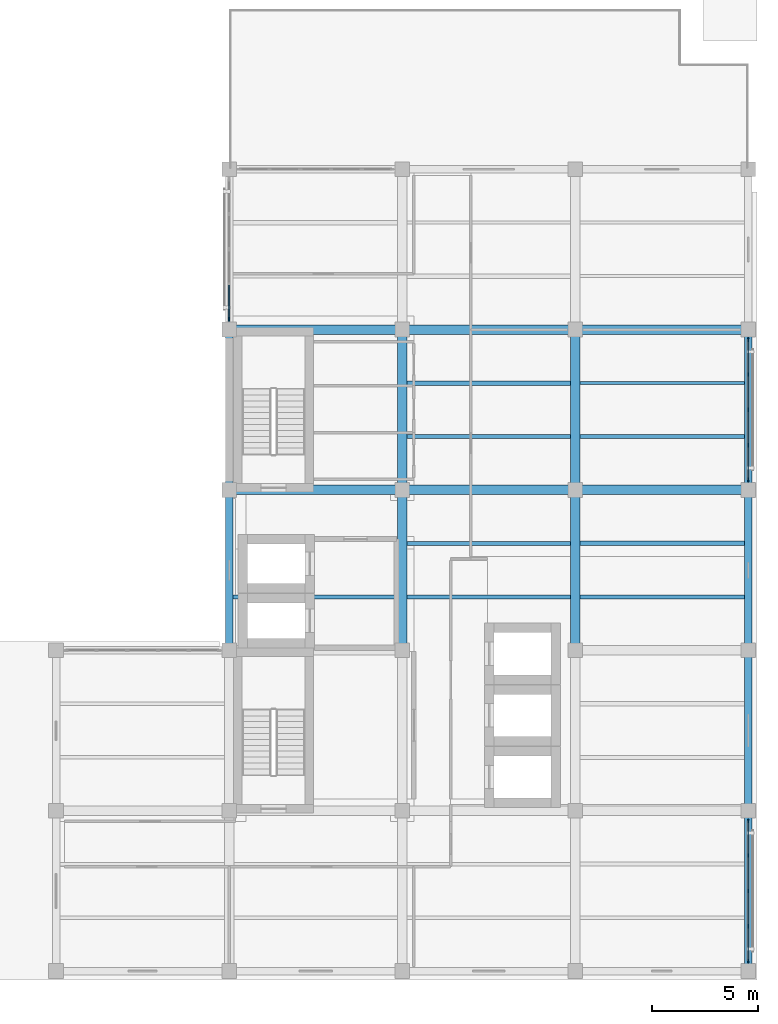
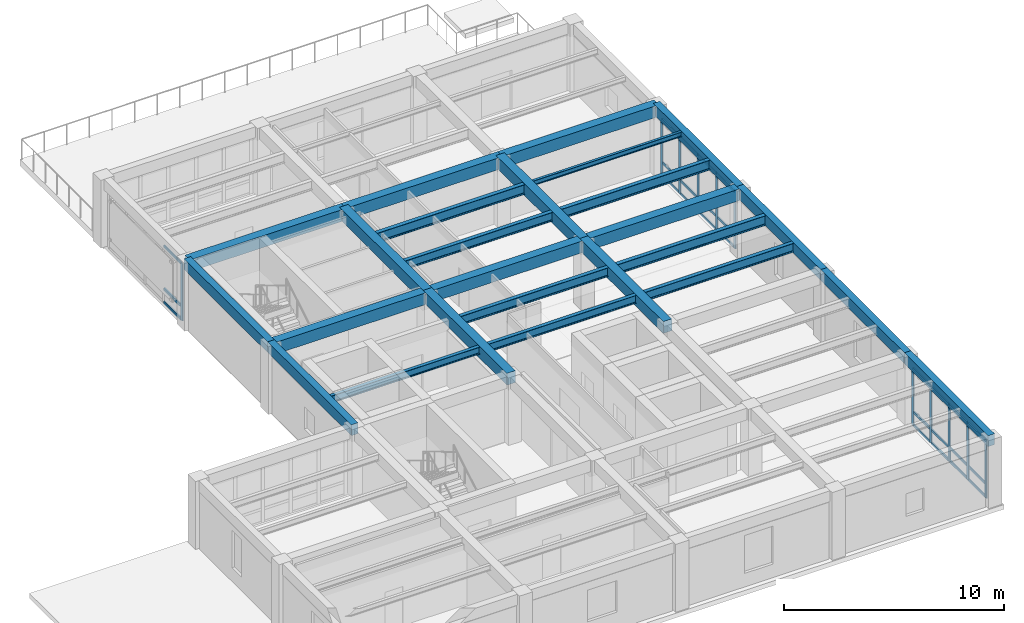
# One storey, part 3 of 11: 38 members, 25 beams, 3 elements without a shape of their own.
"""IFC4 building model written with IfcOpenShell, lengths in metres."""

from ifc_helpers import new_model, si_unit, direction, frame, origin, origin_2d, place, context, subcontext, project, spatial, rectangle, i_section, extrude, material, material_profile, profile_set, type_object, element, aggregate, save


model = new_model("IFC4")

# Units and contexts
model_context = context("Model", 3, precision=1e-05, world=origin(), true_north=direction((0.0, 1.0)))
body_context = subcontext(model_context, "Body", "Model", "MODEL_VIEW")
ifc_project = project(units=[si_unit("LENGTHUNIT", "METRE"), si_unit("AREAUNIT", "SQUARE_METRE"), si_unit("VOLUMEUNIT", "CUBIC_METRE"), si_unit("PLANEANGLEUNIT", "RADIAN"), si_unit("MASSUNIT", "GRAM", prefix="KILO")], contexts=[model_context])

# Site, building, storey
site_placement = place(None, origin())
site = spatial("IfcSite", under=ifc_project, at=site_placement, CompositionType="ELEMENT")
building_placement = place(site_placement, origin())
building = spatial("IfcBuilding", under=site, at=building_placement, Name="Qandaris Square Conservatory and Botanical Centre", CompositionType="ELEMENT")
storey_placement = place(building_placement, frame((0.0, 0.0, 66.199951171875)))
storey = spatial("IfcBuildingStorey", under=building, at=storey_placement, Name="L15", CompositionType="ELEMENT", Elevation=66.199951171875)

# Beams
ifc_material_1 = material(Name="Steel S355", Category="steel")
ifc_material_profile_1 = material_profile(ifc_material_1, i_section(OverallWidth=0.18994140625, OverallDepth=0.449951171875, WebThickness=0.009521484375, FlangeThickness=0.0146484375, FilletRadius=0.02099609375, at=origin_2d()), Name="IPE 450")
ifc_profile_set_1 = profile_set([ifc_material_profile_1], Name="Steel S355")
beam_type_1 = type_object("IfcBeamType", Name="Composite Archive Joist IPE 450", PredefinedType="JOIST", material=ifc_profile_set_1)
beam_1_placement = place(storey_placement, frame((147.625, 34.333251953125, 3.525146484375), z_axis=(1.0, 0.0, 0.0), x_axis=(0.0, 1.0, 0.0)))
element("IfcBeam", 1, at=beam_1_placement, inside=storey, type_object=beam_type_1, Name="L15 Composite Joist 2957", PredefinedType="JOIST", context=body_context, shape_type="SweptSolid", body=[
    extrude(i_section(OverallWidth=0.18994140625, OverallDepth=0.449951171875, WebThickness=0.009521484375, FlangeThickness=0.0146484375, FilletRadius=0.02099609375, at=origin_2d()), origin(), (0.0, 0.0, 1.0), 7.75),
])
ifc_material_profile_2 = material_profile(ifc_material_1, i_section(OverallWidth=0.199951171875, OverallDepth=0.5, WebThickness=0.01025390625, FlangeThickness=0.01611328125, FilletRadius=0.02099609375, at=origin_2d()), Name="IPE 500")
ifc_profile_set_2 = profile_set([ifc_material_profile_2], Name="Steel S355")
beam_type_2 = type_object("IfcBeamType", Name="Composite Gallery Joist IPE 500", PredefinedType="JOIST", material=ifc_profile_set_2)
for number, where, z_axis, x_axis, name in (
    (2, (147.625, 36.86669921875, 3.5), (1.0, 0.0, 0.0), (0.0, 1.0, 0.0), "L15 Composite Joist 2958"),
    (3, (147.625, 41.933349609375, 3.5), (1.0, 0.0, 0.0), (0.0, 1.0, 0.0), "L15 Composite Joist 2959"),
):
    element("IfcBeam", number, at=place(storey_placement, frame(where, z_axis=z_axis, x_axis=x_axis)), inside=storey, type_object=beam_type_2, Name=name, PredefinedType="JOIST", context=body_context, shape_type="SweptSolid", body=[
        extrude(i_section(OverallWidth=0.199951171875, OverallDepth=0.5, WebThickness=0.01025390625, FlangeThickness=0.01611328125, FilletRadius=0.02099609375, at=origin_2d()), origin(), (0.0, 0.0, 1.0), 7.75),
    ])
beam_2_placement = place(storey_placement, frame((155.824951171875, 34.333251953125, 3.5), z_axis=(1.0, 0.0, 0.0), x_axis=(0.0, 1.0, 0.0)))
element("IfcBeam", 4, at=beam_2_placement, inside=storey, type_object=beam_type_2, Name="L15 Composite Joist 2967", PredefinedType="JOIST", context=body_context, shape_type="SweptSolid", body=[
    extrude(i_section(OverallWidth=0.199951171875, OverallDepth=0.5, WebThickness=0.01025390625, FlangeThickness=0.01611328125, FilletRadius=0.02099609375, at=origin_2d()), origin(), (0.0, 0.0, 1.0), 7.800048828125),
])
ifc_material_profile_3 = material_profile(ifc_material_1, i_section(OverallWidth=0.179931640625, OverallDepth=0.39990234375, WebThickness=0.008544921875, FlangeThickness=0.013427734375, FilletRadius=0.02099609375, at=origin_2d()), Name="IPE 400")
ifc_profile_set_3 = profile_set([ifc_material_profile_3], Name="Steel S355")
beam_type_3 = type_object("IfcBeamType", Name="Composite Plinth Joist IPE 400", PredefinedType="JOIST", material=ifc_profile_set_3)
beam_3_placement = place(storey_placement, frame((139.375, 34.333251953125, 3.550048828125), z_axis=(1.0, 0.0, 0.0), x_axis=(0.0, 1.0, 0.0)))
element("IfcBeam", 5, at=beam_3_placement, inside=storey, type_object=beam_type_3, Name="L15 Composite Joist 2952", PredefinedType="JOIST", context=body_context, shape_type="SweptSolid", body=[
    extrude(i_section(OverallWidth=0.179931640625, OverallDepth=0.39990234375, WebThickness=0.008544921875, FlangeThickness=0.013427734375, FilletRadius=0.02099609375, at=origin_2d()), origin(), (0.0, 0.0, 1.0), 7.800048828125),
])

# Curtain wall, members
ifc_material_2 = material(Name="Anodised Aluminium", Category="aluminium")
curtain_wall_type = type_object("IfcCurtainWallType", Name="Unitised Curtain Wall CW-4-670x316", PredefinedType="USERDEFINED", material=ifc_material_2)
curtain_wall_1_placement = place(storey_placement, origin())
curtain_wall_1 = element("IfcCurtainWall", 6, at=curtain_wall_1_placement, inside=storey, type_object=curtain_wall_type, Name="Curtain Wall CW-TWR-L15-2-1", ObjectType="GLAZED CURTAIN WALL", PredefinedType="USERDEFINED")
ifc_material_profile_4 = material_profile(ifc_material_2, rectangle(XDim=0.06494140625, YDim=0.179931640625, at=origin_2d()), Name="ALU-MUL 65x180")
ifc_profile_set_4 = profile_set([ifc_material_profile_4], Name="Anodised Aluminium")
member_type_1 = type_object("IfcMemberType", Name="Curtain Wall Mullion 65x180", PredefinedType="MULLION", material=ifc_profile_set_4)
member_1_placement = place(storey_placement, frame((163.800048828125, 17.08251953125, 0.0), z_axis=(0.0, 0.0, 1.0), x_axis=(-1.0, 0.0, 0.0)))
member_1 = element("IfcMember", 7, at=member_1_placement, type_object=member_type_1, Name="CW-4-670x316 mullion 1", PredefinedType="MULLION", context=body_context, shape_type="SweptSolid", body=[
    extrude(rectangle(XDim=0.06494140625, YDim=0.179931640625, at=origin_2d()), origin(), (0.0, 0.0, 1.0), 3.16015625),
])
member_2_placement = place(storey_placement, frame((163.800048828125, 18.72509765625, 0.0), z_axis=(0.0, 0.0, 1.0), x_axis=(-1.0, 0.0, 0.0)))
member_2 = element("IfcMember", 8, at=member_2_placement, type_object=member_type_1, Name="CW-4-670x316 mullion 2", PredefinedType="MULLION", context=body_context, shape_type="SweptSolid", body=[
    extrude(rectangle(XDim=0.06494140625, YDim=0.179931640625, at=origin_2d()), origin(), (0.0, 0.0, 1.0), 3.16015625),
])
member_3_placement = place(storey_placement, frame((163.800048828125, 20.39990234375, 0.0), z_axis=(0.0, 0.0, 1.0), x_axis=(-1.0, 0.0, 0.0)))
member_3 = element("IfcMember", 9, at=member_3_placement, type_object=member_type_1, Name="CW-4-670x316 mullion 3", PredefinedType="MULLION", context=body_context, shape_type="SweptSolid", body=[
    extrude(rectangle(XDim=0.06494140625, YDim=0.179931640625, at=origin_2d()), origin(), (0.0, 0.0, 1.0), 3.16015625),
])
member_4_placement = place(storey_placement, frame((163.800048828125, 22.074951171875, 0.0), z_axis=(0.0, 0.0, 1.0), x_axis=(-1.0, 0.0, 0.0)))
member_4 = element("IfcMember", 10, at=member_4_placement, type_object=member_type_1, Name="CW-4-670x316 mullion 4", PredefinedType="MULLION", context=body_context, shape_type="SweptSolid", body=[
    extrude(rectangle(XDim=0.06494140625, YDim=0.179931640625, at=origin_2d()), origin(), (0.0, 0.0, 1.0), 3.16015625),
])
member_5_placement = place(storey_placement, frame((163.800048828125, 23.717529296875, 0.0), z_axis=(0.0, 0.0, 1.0), x_axis=(-1.0, 0.0, 0.0)))
member_5 = element("IfcMember", 11, at=member_5_placement, type_object=member_type_1, Name="CW-4-670x316 mullion 5", PredefinedType="MULLION", context=body_context, shape_type="SweptSolid", body=[
    extrude(rectangle(XDim=0.06494140625, YDim=0.179931640625, at=origin_2d()), origin(), (0.0, 0.0, 1.0), 3.16015625),
])

curtain_wall_2_placement = place(storey_placement, origin())
curtain_wall_2 = element("IfcCurtainWall", 12, at=curtain_wall_2_placement, inside=storey, type_object=curtain_wall_type, Name="Curtain Wall CW-TWR-L15-2-4", ObjectType="GLAZED CURTAIN WALL", PredefinedType="USERDEFINED")
member_6_placement = place(storey_placement, frame((163.800048828125, 39.882568359375, 0.0), z_axis=(0.0, 0.0, 1.0), x_axis=(-1.0, 0.0, 0.0)))
member_6 = element("IfcMember", 13, at=member_6_placement, type_object=member_type_1, Name="CW-4-670x316 mullion 1", PredefinedType="MULLION", context=body_context, shape_type="SweptSolid", body=[
    extrude(rectangle(XDim=0.06494140625, YDim=0.179931640625, at=origin_2d()), origin(), (0.0, 0.0, 1.0), 3.16015625),
])
member_7_placement = place(storey_placement, frame((163.800048828125, 41.52490234375, 0.0), z_axis=(0.0, 0.0, 1.0), x_axis=(-1.0, 0.0, 0.0)))
member_7 = element("IfcMember", 14, at=member_7_placement, type_object=member_type_1, Name="CW-4-670x316 mullion 2", PredefinedType="MULLION", context=body_context, shape_type="SweptSolid", body=[
    extrude(rectangle(XDim=0.06494140625, YDim=0.179931640625, at=origin_2d()), origin(), (0.0, 0.0, 1.0), 3.16015625),
])
member_8_placement = place(storey_placement, frame((163.800048828125, 43.199951171875, 0.0), z_axis=(0.0, 0.0, 1.0), x_axis=(-1.0, 0.0, 0.0)))
member_8 = element("IfcMember", 15, at=member_8_placement, type_object=member_type_1, Name="CW-4-670x316 mullion 3", PredefinedType="MULLION", context=body_context, shape_type="SweptSolid", body=[
    extrude(rectangle(XDim=0.06494140625, YDim=0.179931640625, at=origin_2d()), origin(), (0.0, 0.0, 1.0), 3.16015625),
])
member_9_placement = place(storey_placement, frame((163.800048828125, 44.875, 0.0), z_axis=(0.0, 0.0, 1.0), x_axis=(-1.0, 0.0, 0.0)))
member_9 = element("IfcMember", 16, at=member_9_placement, type_object=member_type_1, Name="CW-4-670x316 mullion 4", PredefinedType="MULLION", context=body_context, shape_type="SweptSolid", body=[
    extrude(rectangle(XDim=0.06494140625, YDim=0.179931640625, at=origin_2d()), origin(), (0.0, 0.0, 1.0), 3.16015625),
])
member_10_placement = place(storey_placement, frame((163.800048828125, 46.517578125, 0.0), z_axis=(0.0, 0.0, 1.0), x_axis=(-1.0, 0.0, 0.0)))
member_10 = element("IfcMember", 17, at=member_10_placement, type_object=member_type_1, Name="CW-4-670x316 mullion 5", PredefinedType="MULLION", context=body_context, shape_type="SweptSolid", body=[
    extrude(rectangle(XDim=0.06494140625, YDim=0.179931640625, at=origin_2d()), origin(), (0.0, 0.0, 1.0), 3.16015625),
])

# Curtain wall, member
curtain_wall_3_placement = place(storey_placement, origin())
curtain_wall_3 = element("IfcCurtainWall", 18, at=curtain_wall_3_placement, inside=storey, type_object=curtain_wall_type, Name="Curtain Wall CW-TWR-L15-4-1", ObjectType="GLAZED CURTAIN WALL", PredefinedType="USERDEFINED")
member_11_placement = place(storey_placement, frame((139.199951171875, 47.482421875, 0.0), z_axis=(0.0, 0.0, 1.0), x_axis=(1.0, 0.0, 0.0)))
member_11 = element("IfcMember", 19, at=member_11_placement, type_object=member_type_1, Name="CW-4-670x316 mullion 5", PredefinedType="MULLION", context=body_context, shape_type="SweptSolid", body=[
    extrude(rectangle(XDim=0.06494140625, YDim=0.179931640625, at=origin_2d()), origin(), (0.0, 0.0, 1.0), 3.16015625),
])

# Member
ifc_material_profile_5 = material_profile(ifc_material_2, rectangle(XDim=0.06494140625, YDim=0.139892578125, at=origin_2d()), Name="ALU-TRN 65x140")
ifc_profile_set_5 = profile_set([ifc_material_profile_5], Name="Anodised Aluminium")
member_type_2 = type_object("IfcMemberType", Name="Curtain Wall Transom 65x140", PredefinedType="USERDEFINED", material=ifc_profile_set_5)
member_12_placement = place(storey_placement, frame((163.800048828125, 17.114990234375, 0.032470703125), z_axis=(0.0, 1.0, 0.0), x_axis=(-1.0, 0.0, 0.0)))
member_12 = element("IfcMember", 20, at=member_12_placement, type_object=member_type_2, Name="CW-4-670x316 transom 1.1", ObjectType="TRANSOM", PredefinedType="USERDEFINED", context=body_context, shape_type="SweptSolid", body=[
    extrude(rectangle(XDim=0.06494140625, YDim=0.139892578125, at=origin_2d()), origin(), (0.0, 0.0, 1.0), 1.577392578125),
])

member_13_placement = place(storey_placement, frame((163.800048828125, 17.114990234375, 0.758544921875), z_axis=(0.0, 1.0, 0.0), x_axis=(-1.0, 0.0, 0.0)))
member_13 = element("IfcMember", 21, at=member_13_placement, type_object=member_type_2, Name="CW-4-670x316 transom 1.2", ObjectType="TRANSOM", PredefinedType="USERDEFINED", context=body_context, shape_type="SweptSolid", body=[
    extrude(rectangle(XDim=0.06494140625, YDim=0.139892578125, at=origin_2d()), origin(), (0.0, 0.0, 1.0), 1.577392578125),
])

member_14_placement = place(storey_placement, frame((163.800048828125, 17.114990234375, 3.12744140625), z_axis=(0.0, 1.0, 0.0), x_axis=(-1.0, 0.0, 0.0)))
member_14 = element("IfcMember", 22, at=member_14_placement, type_object=member_type_2, Name="CW-4-670x316 transom 1.3", ObjectType="TRANSOM", PredefinedType="USERDEFINED", context=body_context, shape_type="SweptSolid", body=[
    extrude(rectangle(XDim=0.06494140625, YDim=0.139892578125, at=origin_2d()), origin(), (0.0, 0.0, 1.0), 1.577392578125),
])

member_15_placement = place(storey_placement, frame((163.800048828125, 18.757568359375, 0.032470703125), z_axis=(0.0, 1.0, 0.0), x_axis=(-1.0, 0.0, 0.0)))
member_15 = element("IfcMember", 23, at=member_15_placement, type_object=member_type_2, Name="CW-4-670x316 transom 2.1", ObjectType="TRANSOM", PredefinedType="USERDEFINED", context=body_context, shape_type="SweptSolid", body=[
    extrude(rectangle(XDim=0.06494140625, YDim=0.139892578125, at=origin_2d()), origin(), (0.0, 0.0, 1.0), 1.60986328125),
])

member_16_placement = place(storey_placement, frame((163.800048828125, 18.757568359375, 0.758544921875), z_axis=(0.0, 1.0, 0.0), x_axis=(-1.0, 0.0, 0.0)))
member_16 = element("IfcMember", 24, at=member_16_placement, type_object=member_type_2, Name="CW-4-670x316 transom 2.2", ObjectType="TRANSOM", PredefinedType="USERDEFINED", context=body_context, shape_type="SweptSolid", body=[
    extrude(rectangle(XDim=0.06494140625, YDim=0.139892578125, at=origin_2d()), origin(), (0.0, 0.0, 1.0), 1.60986328125),
])

member_17_placement = place(storey_placement, frame((163.800048828125, 18.757568359375, 3.12744140625), z_axis=(0.0, 1.0, 0.0), x_axis=(-1.0, 0.0, 0.0)))
member_17 = element("IfcMember", 25, at=member_17_placement, type_object=member_type_2, Name="CW-4-670x316 transom 2.3", ObjectType="TRANSOM", PredefinedType="USERDEFINED", context=body_context, shape_type="SweptSolid", body=[
    extrude(rectangle(XDim=0.06494140625, YDim=0.139892578125, at=origin_2d()), origin(), (0.0, 0.0, 1.0), 1.60986328125),
])

member_18_placement = place(storey_placement, frame((163.800048828125, 20.4326171875, 0.032470703125), z_axis=(0.0, 1.0, 0.0), x_axis=(-1.0, 0.0, 0.0)))
member_18 = element("IfcMember", 26, at=member_18_placement, type_object=member_type_2, Name="CW-4-670x316 transom 3.1", ObjectType="TRANSOM", PredefinedType="USERDEFINED", context=body_context, shape_type="SweptSolid", body=[
    extrude(rectangle(XDim=0.06494140625, YDim=0.139892578125, at=origin_2d()), origin(), (0.0, 0.0, 1.0), 1.60986328125),
])

member_19_placement = place(storey_placement, frame((163.800048828125, 20.4326171875, 0.758544921875), z_axis=(0.0, 1.0, 0.0), x_axis=(-1.0, 0.0, 0.0)))
member_19 = element("IfcMember", 27, at=member_19_placement, type_object=member_type_2, Name="CW-4-670x316 transom 3.2", ObjectType="TRANSOM", PredefinedType="USERDEFINED", context=body_context, shape_type="SweptSolid", body=[
    extrude(rectangle(XDim=0.06494140625, YDim=0.139892578125, at=origin_2d()), origin(), (0.0, 0.0, 1.0), 1.60986328125),
])

member_20_placement = place(storey_placement, frame((163.800048828125, 20.4326171875, 3.12744140625), z_axis=(0.0, 1.0, 0.0), x_axis=(-1.0, 0.0, 0.0)))
member_20 = element("IfcMember", 28, at=member_20_placement, type_object=member_type_2, Name="CW-4-670x316 transom 3.3", ObjectType="TRANSOM", PredefinedType="USERDEFINED", context=body_context, shape_type="SweptSolid", body=[
    extrude(rectangle(XDim=0.06494140625, YDim=0.139892578125, at=origin_2d()), origin(), (0.0, 0.0, 1.0), 1.60986328125),
])

member_21_placement = place(storey_placement, frame((163.800048828125, 22.107421875, 0.032470703125), z_axis=(0.0, 1.0, 0.0), x_axis=(-1.0, 0.0, 0.0)))
member_21 = element("IfcMember", 29, at=member_21_placement, type_object=member_type_2, Name="CW-4-670x316 transom 4.1", ObjectType="TRANSOM", PredefinedType="USERDEFINED", context=body_context, shape_type="SweptSolid", body=[
    extrude(rectangle(XDim=0.06494140625, YDim=0.139892578125, at=origin_2d()), origin(), (0.0, 0.0, 1.0), 1.57763671875),
])

member_22_placement = place(storey_placement, frame((163.800048828125, 22.107421875, 0.758544921875), z_axis=(0.0, 1.0, 0.0), x_axis=(-1.0, 0.0, 0.0)))
member_22 = element("IfcMember", 30, at=member_22_placement, type_object=member_type_2, Name="CW-4-670x316 transom 4.2", ObjectType="TRANSOM", PredefinedType="USERDEFINED", context=body_context, shape_type="SweptSolid", body=[
    extrude(rectangle(XDim=0.06494140625, YDim=0.139892578125, at=origin_2d()), origin(), (0.0, 0.0, 1.0), 1.57763671875),
])

member_23_placement = place(storey_placement, frame((163.800048828125, 22.107421875, 3.12744140625), z_axis=(0.0, 1.0, 0.0), x_axis=(-1.0, 0.0, 0.0)))
member_23 = element("IfcMember", 31, at=member_23_placement, type_object=member_type_2, Name="CW-4-670x316 transom 4.3", ObjectType="TRANSOM", PredefinedType="USERDEFINED", context=body_context, shape_type="SweptSolid", body=[
    extrude(rectangle(XDim=0.06494140625, YDim=0.139892578125, at=origin_2d()), origin(), (0.0, 0.0, 1.0), 1.57763671875),
])

aggregate(curtain_wall_1, [member_1, member_2, member_3, member_4, member_5, member_12, member_13, member_14, member_15, member_16, member_17, member_18, member_19, member_20, member_21, member_22, member_23])

member_24_placement = place(storey_placement, frame((163.800048828125, 39.9150390625, 0.032470703125), z_axis=(0.0, 1.0, 0.0), x_axis=(-1.0, 0.0, 0.0)))
member_24 = element("IfcMember", 32, at=member_24_placement, type_object=member_type_2, Name="CW-4-670x316 transom 1.1", ObjectType="TRANSOM", PredefinedType="USERDEFINED", context=body_context, shape_type="SweptSolid", body=[
    extrude(rectangle(XDim=0.06494140625, YDim=0.139892578125, at=origin_2d()), origin(), (0.0, 0.0, 1.0), 1.577392578125),
])

member_25_placement = place(storey_placement, frame((163.800048828125, 39.9150390625, 0.758544921875), z_axis=(0.0, 1.0, 0.0), x_axis=(-1.0, 0.0, 0.0)))
member_25 = element("IfcMember", 33, at=member_25_placement, type_object=member_type_2, Name="CW-4-670x316 transom 1.2", ObjectType="TRANSOM", PredefinedType="USERDEFINED", context=body_context, shape_type="SweptSolid", body=[
    extrude(rectangle(XDim=0.06494140625, YDim=0.139892578125, at=origin_2d()), origin(), (0.0, 0.0, 1.0), 1.577392578125),
])

member_26_placement = place(storey_placement, frame((163.800048828125, 39.9150390625, 3.12744140625), z_axis=(0.0, 1.0, 0.0), x_axis=(-1.0, 0.0, 0.0)))
member_26 = element("IfcMember", 34, at=member_26_placement, type_object=member_type_2, Name="CW-4-670x316 transom 1.3", ObjectType="TRANSOM", PredefinedType="USERDEFINED", context=body_context, shape_type="SweptSolid", body=[
    extrude(rectangle(XDim=0.06494140625, YDim=0.139892578125, at=origin_2d()), origin(), (0.0, 0.0, 1.0), 1.577392578125),
])

member_27_placement = place(storey_placement, frame((163.800048828125, 41.5576171875, 0.032470703125), z_axis=(0.0, 1.0, 0.0), x_axis=(-1.0, 0.0, 0.0)))
member_27 = element("IfcMember", 35, at=member_27_placement, type_object=member_type_2, Name="CW-4-670x316 transom 2.1", ObjectType="TRANSOM", PredefinedType="USERDEFINED", context=body_context, shape_type="SweptSolid", body=[
    extrude(rectangle(XDim=0.06494140625, YDim=0.139892578125, at=origin_2d()), origin(), (0.0, 0.0, 1.0), 1.60986328125),
])

member_28_placement = place(storey_placement, frame((163.800048828125, 41.5576171875, 0.758544921875), z_axis=(0.0, 1.0, 0.0), x_axis=(-1.0, 0.0, 0.0)))
member_28 = element("IfcMember", 36, at=member_28_placement, type_object=member_type_2, Name="CW-4-670x316 transom 2.2", ObjectType="TRANSOM", PredefinedType="USERDEFINED", context=body_context, shape_type="SweptSolid", body=[
    extrude(rectangle(XDim=0.06494140625, YDim=0.139892578125, at=origin_2d()), origin(), (0.0, 0.0, 1.0), 1.60986328125),
])

member_29_placement = place(storey_placement, frame((163.800048828125, 41.5576171875, 3.12744140625), z_axis=(0.0, 1.0, 0.0), x_axis=(-1.0, 0.0, 0.0)))
member_29 = element("IfcMember", 37, at=member_29_placement, type_object=member_type_2, Name="CW-4-670x316 transom 2.3", ObjectType="TRANSOM", PredefinedType="USERDEFINED", context=body_context, shape_type="SweptSolid", body=[
    extrude(rectangle(XDim=0.06494140625, YDim=0.139892578125, at=origin_2d()), origin(), (0.0, 0.0, 1.0), 1.60986328125),
])

member_30_placement = place(storey_placement, frame((163.800048828125, 43.232421875, 0.032470703125), z_axis=(0.0, 1.0, 0.0), x_axis=(-1.0, 0.0, 0.0)))
member_30 = element("IfcMember", 38, at=member_30_placement, type_object=member_type_2, Name="CW-4-670x316 transom 3.1", ObjectType="TRANSOM", PredefinedType="USERDEFINED", context=body_context, shape_type="SweptSolid", body=[
    extrude(rectangle(XDim=0.06494140625, YDim=0.139892578125, at=origin_2d()), origin(), (0.0, 0.0, 1.0), 1.610107421875),
])

member_31_placement = place(storey_placement, frame((163.800048828125, 43.232421875, 0.758544921875), z_axis=(0.0, 1.0, 0.0), x_axis=(-1.0, 0.0, 0.0)))
member_31 = element("IfcMember", 39, at=member_31_placement, type_object=member_type_2, Name="CW-4-670x316 transom 3.2", ObjectType="TRANSOM", PredefinedType="USERDEFINED", context=body_context, shape_type="SweptSolid", body=[
    extrude(rectangle(XDim=0.06494140625, YDim=0.139892578125, at=origin_2d()), origin(), (0.0, 0.0, 1.0), 1.610107421875),
])

member_32_placement = place(storey_placement, frame((163.800048828125, 43.232421875, 3.12744140625), z_axis=(0.0, 1.0, 0.0), x_axis=(-1.0, 0.0, 0.0)))
member_32 = element("IfcMember", 40, at=member_32_placement, type_object=member_type_2, Name="CW-4-670x316 transom 3.3", ObjectType="TRANSOM", PredefinedType="USERDEFINED", context=body_context, shape_type="SweptSolid", body=[
    extrude(rectangle(XDim=0.06494140625, YDim=0.139892578125, at=origin_2d()), origin(), (0.0, 0.0, 1.0), 1.610107421875),
])

member_33_placement = place(storey_placement, frame((163.800048828125, 44.907470703125, 0.032470703125), z_axis=(0.0, 1.0, 0.0), x_axis=(-1.0, 0.0, 0.0)))
member_33 = element("IfcMember", 41, at=member_33_placement, type_object=member_type_2, Name="CW-4-670x316 transom 4.1", ObjectType="TRANSOM", PredefinedType="USERDEFINED", context=body_context, shape_type="SweptSolid", body=[
    extrude(rectangle(XDim=0.06494140625, YDim=0.139892578125, at=origin_2d()), origin(), (0.0, 0.0, 1.0), 1.57763671875),
])

member_34_placement = place(storey_placement, frame((163.800048828125, 44.907470703125, 0.758544921875), z_axis=(0.0, 1.0, 0.0), x_axis=(-1.0, 0.0, 0.0)))
member_34 = element("IfcMember", 42, at=member_34_placement, type_object=member_type_2, Name="CW-4-670x316 transom 4.2", ObjectType="TRANSOM", PredefinedType="USERDEFINED", context=body_context, shape_type="SweptSolid", body=[
    extrude(rectangle(XDim=0.06494140625, YDim=0.139892578125, at=origin_2d()), origin(), (0.0, 0.0, 1.0), 1.57763671875),
])

member_35_placement = place(storey_placement, frame((163.800048828125, 44.907470703125, 3.12744140625), z_axis=(0.0, 1.0, 0.0), x_axis=(-1.0, 0.0, 0.0)))
member_35 = element("IfcMember", 43, at=member_35_placement, type_object=member_type_2, Name="CW-4-670x316 transom 4.3", ObjectType="TRANSOM", PredefinedType="USERDEFINED", context=body_context, shape_type="SweptSolid", body=[
    extrude(rectangle(XDim=0.06494140625, YDim=0.139892578125, at=origin_2d()), origin(), (0.0, 0.0, 1.0), 1.57763671875),
])

aggregate(curtain_wall_2, [member_6, member_7, member_8, member_9, member_10, member_24, member_25, member_26, member_27, member_28, member_29, member_30, member_31, member_32, member_33, member_34, member_35])

member_36_placement = place(storey_placement, frame((139.199951171875, 49.092529296875, 0.032470703125), z_axis=(0.0, -1.0, 0.0), x_axis=(1.0, 0.0, 0.0)))
member_36 = element("IfcMember", 44, at=member_36_placement, type_object=member_type_2, Name="CW-4-670x316 transom 4.1", ObjectType="TRANSOM", PredefinedType="USERDEFINED", context=body_context, shape_type="SweptSolid", body=[
    extrude(rectangle(XDim=0.06494140625, YDim=0.139892578125, at=origin_2d()), origin(), (0.0, 0.0, 1.0), 1.57763671875),
])

member_37_placement = place(storey_placement, frame((139.199951171875, 49.092529296875, 0.758544921875), z_axis=(0.0, -1.0, 0.0), x_axis=(1.0, 0.0, 0.0)))
member_37 = element("IfcMember", 45, at=member_37_placement, type_object=member_type_2, Name="CW-4-670x316 transom 4.2", ObjectType="TRANSOM", PredefinedType="USERDEFINED", context=body_context, shape_type="SweptSolid", body=[
    extrude(rectangle(XDim=0.06494140625, YDim=0.139892578125, at=origin_2d()), origin(), (0.0, 0.0, 1.0), 1.57763671875),
])

member_38_placement = place(storey_placement, frame((139.199951171875, 49.092529296875, 3.12744140625), z_axis=(0.0, -1.0, 0.0), x_axis=(1.0, 0.0, 0.0)))
member_38 = element("IfcMember", 46, at=member_38_placement, type_object=member_type_2, Name="CW-4-670x316 transom 4.3", ObjectType="TRANSOM", PredefinedType="USERDEFINED", context=body_context, shape_type="SweptSolid", body=[
    extrude(rectangle(XDim=0.06494140625, YDim=0.139892578125, at=origin_2d()), origin(), (0.0, 0.0, 1.0), 1.57763671875),
])

aggregate(curtain_wall_3, [member_11, member_36, member_37, member_38])

# Beams
ifc_material_profile_6 = material_profile(ifc_material_1, i_section(OverallWidth=0.2099609375, OverallDepth=0.550048828125, WebThickness=0.010986328125, FlangeThickness=0.01708984375, FilletRadius=0.02392578125, at=origin_2d()), Name="IPE 550")
ifc_profile_set_6 = profile_set([ifc_material_profile_6], Name="Steel S355")
beam_type_4 = type_object("IfcBeamType", Name="Long-Span Foyer Joist IPE 550", PredefinedType="JOIST", material=ifc_profile_set_6)
beam_4_placement = place(storey_placement, frame((147.625, 44.466796875, 3.47509765625), z_axis=(1.0, 0.0, 0.0), x_axis=(0.0, 1.0, 0.0)))
element("IfcBeam", 47, at=beam_4_placement, inside=storey, type_object=beam_type_4, Name="L15 Composite Joist 2960", PredefinedType="JOIST", context=body_context, shape_type="SweptSolid", body=[
    extrude(i_section(OverallWidth=0.2099609375, OverallDepth=0.550048828125, WebThickness=0.010986328125, FlangeThickness=0.01708984375, FilletRadius=0.02392578125, at=origin_2d()), origin(), (0.0, 0.0, 1.0), 7.75),
])
for number, where, z_axis, x_axis, name in (
    (48, (155.824951171875, 36.86669921875, 3.47509765625), (1.0, 0.0, 0.0), (0.0, 1.0, 0.0), "L15 Composite Joist 2968"),
    (49, (155.824951171875, 41.933349609375, 3.47509765625), (1.0, 0.0, 0.0), (0.0, 1.0, 0.0), "L15 Composite Joist 2969"),
):
    element("IfcBeam", number, at=place(storey_placement, frame(where, z_axis=z_axis, x_axis=x_axis)), inside=storey, type_object=beam_type_4, Name=name, PredefinedType="JOIST", context=body_context, shape_type="SweptSolid", body=[
        extrude(i_section(OverallWidth=0.2099609375, OverallDepth=0.550048828125, WebThickness=0.010986328125, FlangeThickness=0.01708984375, FilletRadius=0.02392578125, at=origin_2d()), origin(), (0.0, 0.0, 1.0), 7.800048828125),
    ])
ifc_material_3 = material(Name="Concrete C50/60", Category="concrete")
ifc_material_profile_7 = material_profile(ifc_material_3, rectangle(XDim=0.35009765625, YDim=0.60009765625, at=origin_2d()), Name="RC-SP 350x600")
ifc_profile_set_7 = profile_set([ifc_material_profile_7], Name="Concrete C50/60")
beam_type_5 = type_object("IfcBeamType", Name="RC Edge Spandrel Beam 350x600", PredefinedType="SPANDREL", material=ifc_profile_set_7)
beam_5_placement = place(storey_placement, frame((139.199951171875, 31.800048828125, 3.4599609375), z_axis=(0.0, 1.0, 0.0), x_axis=(-1.0, 0.0, 0.0)))
element("IfcBeam", 50, at=beam_5_placement, inside=storey, type_object=beam_type_5, Name="L15 Frame Beam 2928", PredefinedType="SPANDREL", context=body_context, shape_type="SweptSolid", body=[
    extrude(rectangle(XDim=0.35009765625, YDim=0.60009765625, at=origin_2d()), origin(), (0.0, 0.0, 1.0), 7.599853515625),
])
beam_6_placement = place(storey_placement, frame((139.199951171875, 39.39990234375, 3.4599609375), z_axis=(0.0, 1.0, 0.0), x_axis=(-1.0, 0.0, 0.0)))
element("IfcBeam", 51, at=beam_6_placement, inside=storey, type_object=beam_type_5, Name="L15 Frame Beam 2929", PredefinedType="SPANDREL", context=body_context, shape_type="SweptSolid", body=[
    extrude(rectangle(XDim=0.35009765625, YDim=0.60009765625, at=origin_2d()), origin(), (0.0, 0.0, 1.0), 7.60009765625),
])
beam_7_placement = place(storey_placement, frame((163.800048828125, 16.60009765625, 3.4599609375), z_axis=(0.0, 1.0, 0.0), x_axis=(-1.0, 0.0, 0.0)))
element("IfcBeam", 52, at=beam_7_placement, inside=storey, type_object=beam_type_5, Name="L15 Frame Beam 2941", PredefinedType="SPANDREL", context=body_context, shape_type="SweptSolid", body=[
    extrude(rectangle(XDim=0.35009765625, YDim=0.60009765625, at=origin_2d()), origin(), (0.0, 0.0, 1.0), 7.599853515625),
])
beam_8_placement = place(storey_placement, frame((163.800048828125, 24.199951171875, 3.4599609375), z_axis=(0.0, 1.0, 0.0), x_axis=(-1.0, 0.0, 0.0)))
element("IfcBeam", 53, at=beam_8_placement, inside=storey, type_object=beam_type_5, Name="L15 Frame Beam 2942", PredefinedType="SPANDREL", context=body_context, shape_type="SweptSolid", body=[
    extrude(rectangle(XDim=0.35009765625, YDim=0.60009765625, at=origin_2d()), origin(), (0.0, 0.0, 1.0), 7.60009765625),
])
beam_9_placement = place(storey_placement, frame((163.800048828125, 31.800048828125, 3.4599609375), z_axis=(0.0, 1.0, 0.0), x_axis=(-1.0, 0.0, 0.0)))
element("IfcBeam", 54, at=beam_9_placement, inside=storey, type_object=beam_type_5, Name="L15 Frame Beam 2943", PredefinedType="SPANDREL", context=body_context, shape_type="SweptSolid", body=[
    extrude(rectangle(XDim=0.35009765625, YDim=0.60009765625, at=origin_2d()), origin(), (0.0, 0.0, 1.0), 7.599853515625),
])
beam_10_placement = place(storey_placement, frame((163.800048828125, 39.39990234375, 3.4599609375), z_axis=(0.0, 1.0, 0.0), x_axis=(-1.0, 0.0, 0.0)))
element("IfcBeam", 55, at=beam_10_placement, inside=storey, type_object=beam_type_5, Name="L15 Frame Beam 2944", PredefinedType="SPANDREL", context=body_context, shape_type="SweptSolid", body=[
    extrude(rectangle(XDim=0.35009765625, YDim=0.60009765625, at=origin_2d()), origin(), (0.0, 0.0, 1.0), 7.60009765625),
])
ifc_material_profile_8 = material_profile(ifc_material_3, rectangle(XDim=0.449951171875, YDim=0.64990234375, at=origin_2d()), Name="RC-BM 450x650")
ifc_profile_set_8 = profile_set([ifc_material_profile_8], Name="Concrete C50/60")
beam_type_6 = type_object("IfcBeamType", Name="RC Floor Girder 450x650", PredefinedType="BEAM", material=ifc_profile_set_8)
beam_11_placement = place(storey_placement, frame((139.199951171875, 39.39990234375, 3.43505859375), z_axis=(1.0, 0.0, 0.0), x_axis=(0.0, 1.0, 0.0)))
element("IfcBeam", 56, at=beam_11_placement, inside=storey, type_object=beam_type_6, Name="L15 Frame Beam 2915", PredefinedType="BEAM", context=body_context, shape_type="SweptSolid", body=[
    extrude(rectangle(XDim=0.449951171875, YDim=0.64990234375, at=origin_2d()), origin(), (0.0, 0.0, 1.0), 8.199951171875),
])
beam_12_placement = place(storey_placement, frame((147.39990234375, 39.39990234375, 3.43505859375), z_axis=(1.0, 0.0, 0.0), x_axis=(0.0, 1.0, 0.0)))
element("IfcBeam", 57, at=beam_12_placement, inside=storey, type_object=beam_type_6, Name="L15 Frame Beam 2916", PredefinedType="BEAM", context=body_context, shape_type="SweptSolid", body=[
    extrude(rectangle(XDim=0.449951171875, YDim=0.64990234375, at=origin_2d()), origin(), (0.0, 0.0, 1.0), 8.2001953125),
])
for number, where, z_axis, x_axis, name in (
    (58, (155.60009765625, 39.39990234375, 3.43505859375), (1.0, 0.0, 0.0), (0.0, 1.0, 0.0), "L15 Frame Beam 2917"),
    (59, (139.199951171875, 47.0, 3.43505859375), (1.0, 0.0, 0.0), (0.0, 1.0, 0.0), "L15 Frame Beam 2918"),
):
    element("IfcBeam", number, at=place(storey_placement, frame(where, z_axis=z_axis, x_axis=x_axis)), inside=storey, type_object=beam_type_6, Name=name, PredefinedType="BEAM", context=body_context, shape_type="SweptSolid", body=[
        extrude(rectangle(XDim=0.449951171875, YDim=0.64990234375, at=origin_2d()), origin(), (0.0, 0.0, 1.0), 8.199951171875),
    ])
beam_13_placement = place(storey_placement, frame((147.39990234375, 47.0, 3.43505859375), z_axis=(1.0, 0.0, 0.0), x_axis=(0.0, 1.0, 0.0)))
element("IfcBeam", 60, at=beam_13_placement, inside=storey, type_object=beam_type_6, Name="L15 Frame Beam 2919", PredefinedType="BEAM", context=body_context, shape_type="SweptSolid", body=[
    extrude(rectangle(XDim=0.449951171875, YDim=0.64990234375, at=origin_2d()), origin(), (0.0, 0.0, 1.0), 8.2001953125),
])
beam_14_placement = place(storey_placement, frame((155.60009765625, 47.0, 3.43505859375), z_axis=(1.0, 0.0, 0.0), x_axis=(0.0, 1.0, 0.0)))
element("IfcBeam", 61, at=beam_14_placement, inside=storey, type_object=beam_type_6, Name="L15 Frame Beam 2920", PredefinedType="BEAM", context=body_context, shape_type="SweptSolid", body=[
    extrude(rectangle(XDim=0.449951171875, YDim=0.64990234375, at=origin_2d()), origin(), (0.0, 0.0, 1.0), 8.199951171875),
])
beam_15_placement = place(storey_placement, frame((147.39990234375, 31.800048828125, 3.43505859375), z_axis=(0.0, 1.0, 0.0), x_axis=(-1.0, 0.0, 0.0)))
element("IfcBeam", 62, at=beam_15_placement, inside=storey, type_object=beam_type_6, Name="L15 Frame Beam 2933", PredefinedType="BEAM", context=body_context, shape_type="SweptSolid", body=[
    extrude(rectangle(XDim=0.449951171875, YDim=0.64990234375, at=origin_2d()), origin(), (0.0, 0.0, 1.0), 7.599853515625),
])
beam_16_placement = place(storey_placement, frame((147.39990234375, 39.39990234375, 3.43505859375), z_axis=(0.0, 1.0, 0.0), x_axis=(-1.0, 0.0, 0.0)))
element("IfcBeam", 63, at=beam_16_placement, inside=storey, type_object=beam_type_6, Name="L15 Frame Beam 2934", PredefinedType="BEAM", context=body_context, shape_type="SweptSolid", body=[
    extrude(rectangle(XDim=0.449951171875, YDim=0.64990234375, at=origin_2d()), origin(), (0.0, 0.0, 1.0), 7.60009765625),
])
beam_17_placement = place(storey_placement, frame((155.60009765625, 31.800048828125, 3.43505859375), z_axis=(0.0, 1.0, 0.0), x_axis=(-1.0, 0.0, 0.0)))
element("IfcBeam", 64, at=beam_17_placement, inside=storey, type_object=beam_type_6, Name="L15 Frame Beam 2938", PredefinedType="BEAM", context=body_context, shape_type="SweptSolid", body=[
    extrude(rectangle(XDim=0.449951171875, YDim=0.64990234375, at=origin_2d()), origin(), (0.0, 0.0, 1.0), 7.599853515625),
])
beam_18_placement = place(storey_placement, frame((155.60009765625, 39.39990234375, 3.43505859375), z_axis=(0.0, 1.0, 0.0), x_axis=(-1.0, 0.0, 0.0)))
element("IfcBeam", 65, at=beam_18_placement, inside=storey, type_object=beam_type_6, Name="L15 Frame Beam 2939", PredefinedType="BEAM", context=body_context, shape_type="SweptSolid", body=[
    extrude(rectangle(XDim=0.449951171875, YDim=0.64990234375, at=origin_2d()), origin(), (0.0, 0.0, 1.0), 7.60009765625),
])
ifc_material_profile_9 = material_profile(ifc_material_1, i_section(OverallWidth=0.135009765625, OverallDepth=0.27001953125, WebThickness=0.006591796875, FlangeThickness=0.01025390625, FilletRadius=0.014892578125, at=origin_2d()), Name="IPE 270")
ifc_profile_set_9 = profile_set([ifc_material_profile_9], Name="Steel S355")
beam_type_7 = type_object("IfcBeamType", Name="Steel Floor Joist IPE 270", PredefinedType="JOIST", material=ifc_profile_set_9)
beam_19_placement = place(storey_placement, frame((155.824951171875, 44.466796875, 3.614990234375), z_axis=(1.0, 0.0, 0.0), x_axis=(0.0, 1.0, 0.0)))
element("IfcBeam", 66, at=beam_19_placement, inside=storey, type_object=beam_type_7, Name="L15 Composite Joist 2970", PredefinedType="JOIST", context=body_context, shape_type="SweptSolid", body=[
    extrude(i_section(OverallWidth=0.135009765625, OverallDepth=0.27001953125, WebThickness=0.006591796875, FlangeThickness=0.01025390625, FilletRadius=0.014892578125, at=origin_2d()), origin(), (0.0, 0.0, 1.0), 7.800048828125),
])

save(model, "model.ifc")
